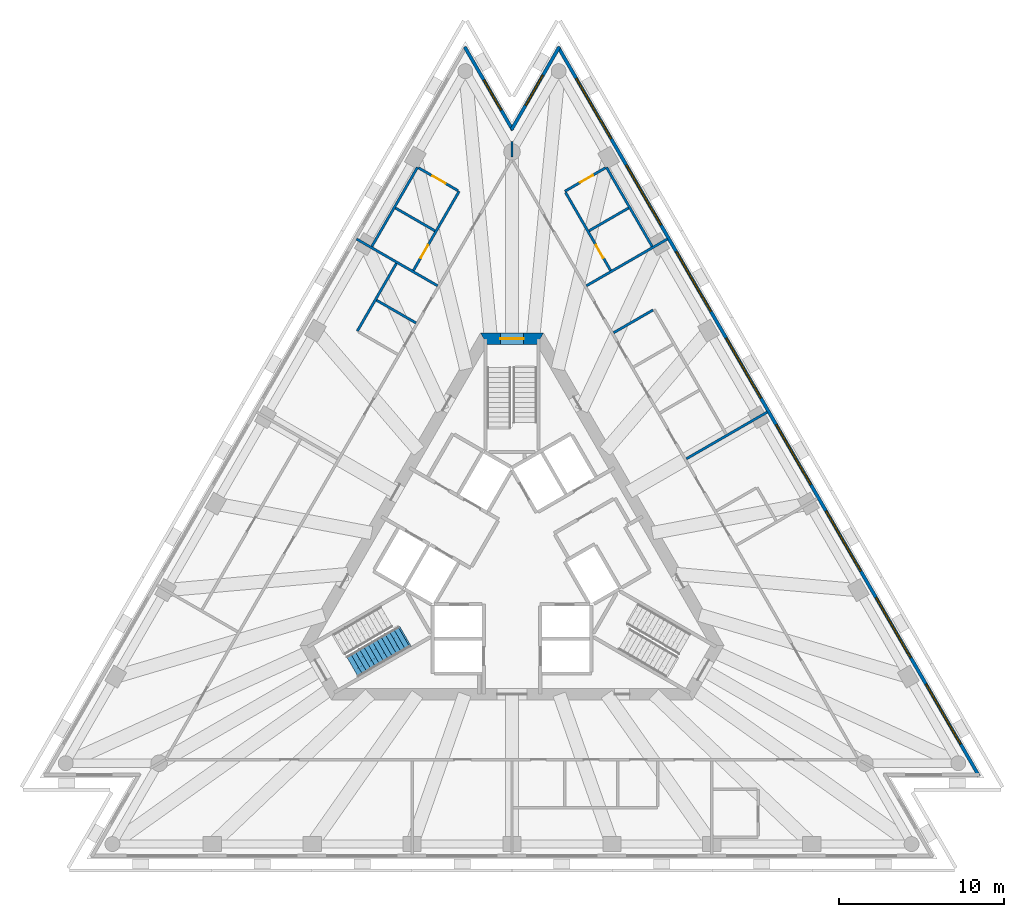
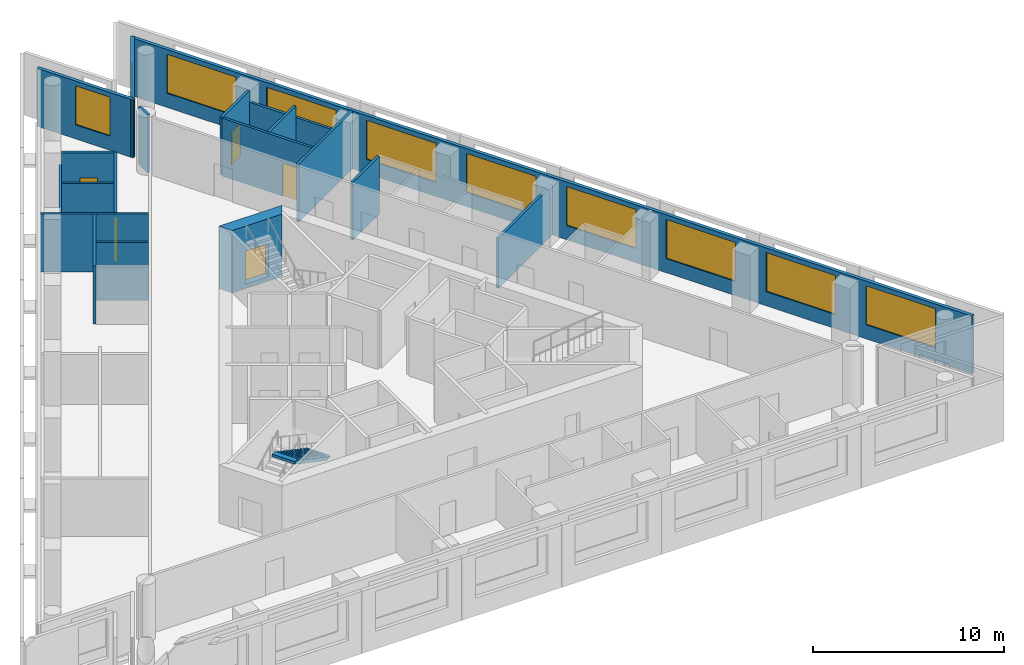
# One storey, part 6 of 9: 19 walls, 10 windows, 5 doors, 1 stair flight, 15 openings, 1 element without a shape of its own.
"""IFC4 building model written with IfcOpenShell, lengths in metres."""

from ifc_helpers import new_model, si_unit, direction, frame, frame_2d, origin, place, context, subcontext, project, spatial, polyline, rectangle, outline, extrude, material, layer, layer_set, layer_usage, type_object, element, fill, aggregate, save


model = new_model("IFC4")

# Units and contexts
model_context = context("Model", 3, precision=1e-05, world=origin(), true_north=direction((0.0, 1.0)))
body_context = subcontext(model_context, "Body", "Model", "MODEL_VIEW")
ifc_project = project(units=[si_unit("LENGTHUNIT", "METRE"), si_unit("AREAUNIT", "SQUARE_METRE"), si_unit("VOLUMEUNIT", "CUBIC_METRE"), si_unit("PLANEANGLEUNIT", "RADIAN"), si_unit("MASSUNIT", "GRAM", prefix="KILO")], contexts=[model_context])

# Site, building, storey
site_placement = place(None, origin())
site = spatial("IfcSite", under=ifc_project, at=site_placement, CompositionType="ELEMENT")
building_placement = place(site_placement, origin())
building = spatial("IfcBuilding", under=site, at=building_placement, Name="Triada Interchange Tower", CompositionType="ELEMENT")
storey_placement = place(building_placement, frame((0.0, 0.0, 215.300048828125)))
storey = spatial("IfcBuildingStorey", under=building, at=storey_placement, Name="L50", CompositionType="ELEMENT", Elevation=215.300048828125)

# Wall, opening, door
ifc_material_1 = material(Name="Concrete C50/60", Category="concrete")
ifc_layer_1 = layer(ifc_material_1, 0.699951171875)
ifc_layer_set_1 = layer_set([ifc_layer_1], Name="Core wall C 700")
wall_type_1 = type_object("IfcWallType", Name="Core wall C 700", PredefinedType="SHEAR", material=ifc_layer_set_1)
wall_1_placement = place(storey_placement, frame((1.702880859375, 13.35009765625, -0.300048828125), z_axis=(0.0, 0.0, 1.0), x_axis=(-1.0, 0.0, 0.0)))
wall_1 = element("IfcWall", 1, at=wall_1_placement, inside=storey, type_object=wall_type_1, Name="Core wall WC01 L50", PredefinedType="SHEAR", context=body_context, shape_type="SweptSolid", body=[
    extrude(outline(polyline([(-0.201904296875, -0.35009765625), (1.703125, -0.35009765625), (3.60791015625, -0.35009765625), (3.2041015625, 0.35009765625), (1.703125, 0.35009765625), (0.201904296875, 0.35009765625), (-0.201904296875, -0.35009765625)])), origin(), (0.0, 0.0, 1.0), 4.0),
])
opening_1_placement = place(wall_1_placement, frame((1.0029296875, 0.0, 0.300048828125)))
opening_1 = element("IfcOpeningElement", 2, at=opening_1_placement, cuts=wall_1, Name="Opening D50-39", PredefinedType="OPENING", context=body_context, shape_type="SweptSolid", body=[
    extrude(rectangle(XDim=1.39990234375, YDim=2.10009765625, at=frame_2d((0.699951171875, 1.050048828125))), frame((0.0, 0.360107421875, 0.0), z_axis=(0.0, -1.0, 0.0), x_axis=(1.0, 0.0, 0.0)), (0.0, 0.0, 1.0), 0.72021484375),
])
ifc_material_2 = material(Name="Steel S235 door leaf", Category="steel")
door_type_1 = type_object("IfcDoorType", Name="STAIR DOOR 1400 EI2 90-C5S200", OperationType="DOUBLE_DOOR_SINGLE_SWING", PredefinedType="DOOR", material=ifc_material_2)
door_1_placement = place(opening_1_placement, origin())
door_1 = element("IfcDoor", 3, at=door_1_placement, inside=storey, type_object=door_type_1, Name="Door D50-39 L50", OperationType="DOUBLE_DOOR_SINGLE_SWING", OverallHeight=2.10009765625, OverallWidth=1.39990234375, PredefinedType="DOOR", context=body_context, shape_type="SweptSolid", body=[
    extrude(rectangle(XDim=1.39990234375, YDim=2.10009765625, at=frame_2d((0.699951171875, 1.050048828125))), frame((0.0, 0.02490234375, 0.0), z_axis=(0.0, -1.0, 0.0), x_axis=(1.0, 0.0, 0.0)), (0.0, 0.0, 1.0), 0.050048828125),
])
fill(opening_1, door_1)

# Wall, openings, windows
ifc_material_3 = material(Name="Cement board")
ifc_layer_2 = layer(ifc_material_3, 0.02001953125, Name="Cement board cladding")
ifc_material_4 = material(Name="Sheathing board")
ifc_layer_3 = layer(ifc_material_4, 0.014892578125, Name="Sheathing board")
ifc_material_5 = material(Name="Mineral wool")
ifc_layer_4 = layer(ifc_material_5, 0.14990234375, Name="Mineral wool between steel studs")
ifc_material_6 = material(Name="Gypsum board")
ifc_layer_5 = layer(ifc_material_6, 0.014892578125, Name="Plasterboard lining")
ifc_layer_set_2 = layer_set([ifc_layer_2, ifc_layer_3, ifc_layer_4, ifc_layer_5], Name="External wall 200")
ifc_layer_usage = layer_usage(ifc_layer_set_2, "AXIS2", "POSITIVE", -0.10009765625)
wall_type_2 = type_object("IfcWallType", Name="External wall 200", PredefinedType="ELEMENTEDWALL", material=ifc_layer_set_2)
wall_2_placement = place(storey_placement, frame((28.242919921875, -13.097900390625, 0.0), z_axis=(0.0, 0.0, 1.0), x_axis=(-0.500001688958, 0.866024428662, 0.0)))
wall_2 = element("IfcWall", 4, at=wall_2_placement, inside=storey, type_object=wall_type_2, material=ifc_layer_usage, Name="External wall L50 NE", PredefinedType="ELEMENTEDWALL", context=body_context, shape_type="SweptSolid", body=[
    extrude(rectangle(XDim=50.909423828125, YDim=0.199951171875, at=frame_2d((25.45458984375, 0.0))), origin(), (0.0, 0.0, 1.0), 3.699951171875),
])
opening_2_placement = place(wall_2_placement, frame((2.222900390625, 0.0, 0.89990234375)))
opening_2 = element("IfcOpeningElement", 5, at=opening_2_placement, cuts=wall_2, Name="Opening WC21", PredefinedType="OPENING", context=body_context, shape_type="SweptSolid", body=[
    extrude(rectangle(XDim=4.199951171875, YDim=2.5, at=frame_2d((2.10009765625, 1.25))), frame((0.0, 0.10986328125, 0.0), z_axis=(0.0, -1.0, 0.0), x_axis=(1.0, 0.0, 0.0)), (0.0, 0.0, 1.0), 0.219970703125),
])
opening_3_placement = place(wall_2_placement, frame((8.262939453125, 0.0, 0.89990234375)))
opening_3 = element("IfcOpeningElement", 6, at=opening_3_placement, cuts=wall_2, Name="Opening WC22", PredefinedType="OPENING", context=body_context, shape_type="SweptSolid", body=[
    extrude(rectangle(XDim=4.199951171875, YDim=2.5, at=frame_2d((2.10009765625, 1.25))), frame((0.0, 0.10986328125, 0.0), z_axis=(0.0, -1.0, 0.0), x_axis=(1.0, 0.0, 0.0)), (0.0, 0.0, 1.0), 0.219970703125),
])
opening_4_placement = place(wall_2_placement, frame((14.303955078125, 0.0, 0.89990234375)))
opening_4 = element("IfcOpeningElement", 7, at=opening_4_placement, cuts=wall_2, Name="Opening WC23", PredefinedType="OPENING", context=body_context, shape_type="SweptSolid", body=[
    extrude(rectangle(XDim=4.199951171875, YDim=2.5, at=frame_2d((2.10009765625, 1.25))), frame((0.0, 0.10986328125, 0.0), z_axis=(0.0, -1.0, 0.0), x_axis=(1.0, 0.0, 0.0)), (0.0, 0.0, 1.0), 0.219970703125),
])
opening_5_placement = place(wall_2_placement, frame((20.344970703125, 0.0, 0.89990234375)))
opening_5 = element("IfcOpeningElement", 8, at=opening_5_placement, cuts=wall_2, Name="Opening WC24", PredefinedType="OPENING", context=body_context, shape_type="SweptSolid", body=[
    extrude(rectangle(XDim=4.199951171875, YDim=2.5, at=frame_2d((2.10009765625, 1.25))), frame((0.0, 0.10986328125, 0.0), z_axis=(0.0, -1.0, 0.0), x_axis=(1.0, 0.0, 0.0)), (0.0, 0.0, 1.0), 0.219970703125),
])
opening_6_placement = place(wall_2_placement, frame((26.385009765625, 0.0, 0.89990234375)))
opening_6 = element("IfcOpeningElement", 9, at=opening_6_placement, cuts=wall_2, Name="Opening WC25", PredefinedType="OPENING", context=body_context, shape_type="SweptSolid", body=[
    extrude(rectangle(XDim=4.199951171875, YDim=2.5, at=frame_2d((2.10009765625, 1.25))), frame((0.0, 0.10986328125, 0.0), z_axis=(0.0, -1.0, 0.0), x_axis=(1.0, 0.0, 0.0)), (0.0, 0.0, 1.0), 0.219970703125),
])
opening_7_placement = place(wall_2_placement, frame((32.426025390625, 0.0, 0.89990234375)))
opening_7 = element("IfcOpeningElement", 10, at=opening_7_placement, cuts=wall_2, Name="Opening WC26", PredefinedType="OPENING", context=body_context, shape_type="SweptSolid", body=[
    extrude(rectangle(XDim=4.199951171875, YDim=2.5, at=frame_2d((2.10009765625, 1.25))), frame((0.0, 0.10986328125, 0.0), z_axis=(0.0, -1.0, 0.0), x_axis=(1.0, 0.0, 0.0)), (0.0, 0.0, 1.0), 0.219970703125),
])
opening_8_placement = place(wall_2_placement, frame((38.466064453125, 0.0, 0.89990234375)))
opening_8 = element("IfcOpeningElement", 11, at=opening_8_placement, cuts=wall_2, Name="Opening WC27", PredefinedType="OPENING", context=body_context, shape_type="SweptSolid", body=[
    extrude(rectangle(XDim=4.199951171875, YDim=2.5, at=frame_2d((2.10009765625, 1.25))), frame((0.0, 0.10986328125, 0.0), z_axis=(0.0, -1.0, 0.0), x_axis=(1.0, 0.0, 0.0)), (0.0, 0.0, 1.0), 0.219970703125),
])
opening_9_placement = place(wall_2_placement, frame((44.507080078125, 0.0, 0.89990234375)))
opening_9 = element("IfcOpeningElement", 12, at=opening_9_placement, cuts=wall_2, Name="Opening WC28", PredefinedType="OPENING", context=body_context, shape_type="SweptSolid", body=[
    extrude(rectangle(XDim=4.199951171875, YDim=2.5, at=frame_2d((2.10009765625, 1.25))), frame((0.0, 0.10986328125, 0.0), z_axis=(0.0, -1.0, 0.0), x_axis=(1.0, 0.0, 0.0)), (0.0, 0.0, 1.0), 0.219970703125),
])
ifc_material_7 = material(Name="Double glazed aluminium window", Category="aluminium")
window_type_1 = type_object("IfcWindowType", Name="Ribbon window C face", PartitioningType="SINGLE_PANEL", PredefinedType="WINDOW", material=ifc_material_7)
window_1_placement = place(opening_2_placement, origin())
window_1 = element("IfcWindow", 13, at=window_1_placement, inside=storey, type_object=window_type_1, Name="Window L50 NE 1", OverallHeight=2.5, OverallWidth=4.199951171875, PartitioningType="SINGLE_PANEL", PredefinedType="WINDOW", context=body_context, shape_type="SweptSolid", body=[
    extrude(rectangle(XDim=4.199951171875, YDim=2.5, at=frame_2d((2.10009765625, 1.25))), frame((0.0, 0.030029296875, 0.0), z_axis=(0.0, -1.0, 0.0), x_axis=(1.0, 0.0, 0.0)), (0.0, 0.0, 1.0), 0.06005859375),
])
fill(opening_2, window_1)
window_2_placement = place(opening_3_placement, origin())
window_2 = element("IfcWindow", 14, at=window_2_placement, inside=storey, type_object=window_type_1, Name="Window L50 NE 2", OverallHeight=2.5, OverallWidth=4.199951171875, PartitioningType="SINGLE_PANEL", PredefinedType="WINDOW", context=body_context, shape_type="SweptSolid", body=[
    extrude(rectangle(XDim=4.199951171875, YDim=2.5, at=frame_2d((2.10009765625, 1.25))), frame((0.0, 0.030029296875, 0.0), z_axis=(0.0, -1.0, 0.0), x_axis=(1.0, 0.0, 0.0)), (0.0, 0.0, 1.0), 0.06005859375),
])
fill(opening_3, window_2)
window_3_placement = place(opening_4_placement, origin())
window_3 = element("IfcWindow", 15, at=window_3_placement, inside=storey, type_object=window_type_1, Name="Window L50 NE 3", OverallHeight=2.5, OverallWidth=4.199951171875, PartitioningType="SINGLE_PANEL", PredefinedType="WINDOW", context=body_context, shape_type="SweptSolid", body=[
    extrude(rectangle(XDim=4.199951171875, YDim=2.5, at=frame_2d((2.10009765625, 1.25))), frame((0.0, 0.030029296875, 0.0), z_axis=(0.0, -1.0, 0.0), x_axis=(1.0, 0.0, 0.0)), (0.0, 0.0, 1.0), 0.06005859375),
])
fill(opening_4, window_3)
window_4_placement = place(opening_5_placement, origin())
window_4 = element("IfcWindow", 16, at=window_4_placement, inside=storey, type_object=window_type_1, Name="Window L50 NE 4", OverallHeight=2.5, OverallWidth=4.199951171875, PartitioningType="SINGLE_PANEL", PredefinedType="WINDOW", context=body_context, shape_type="SweptSolid", body=[
    extrude(rectangle(XDim=4.199951171875, YDim=2.5, at=frame_2d((2.10009765625, 1.25))), frame((0.0, 0.030029296875, 0.0), z_axis=(0.0, -1.0, 0.0), x_axis=(1.0, 0.0, 0.0)), (0.0, 0.0, 1.0), 0.06005859375),
])
fill(opening_5, window_4)
window_5_placement = place(opening_6_placement, origin())
window_5 = element("IfcWindow", 17, at=window_5_placement, inside=storey, type_object=window_type_1, Name="Window L50 NE 5", OverallHeight=2.5, OverallWidth=4.199951171875, PartitioningType="SINGLE_PANEL", PredefinedType="WINDOW", context=body_context, shape_type="SweptSolid", body=[
    extrude(rectangle(XDim=4.199951171875, YDim=2.5, at=frame_2d((2.10009765625, 1.25))), frame((0.0, 0.030029296875, 0.0), z_axis=(0.0, -1.0, 0.0), x_axis=(1.0, 0.0, 0.0)), (0.0, 0.0, 1.0), 0.06005859375),
])
fill(opening_6, window_5)
window_6_placement = place(opening_7_placement, origin())
window_6 = element("IfcWindow", 18, at=window_6_placement, inside=storey, type_object=window_type_1, Name="Window L50 NE 6", OverallHeight=2.5, OverallWidth=4.199951171875, PartitioningType="SINGLE_PANEL", PredefinedType="WINDOW", context=body_context, shape_type="SweptSolid", body=[
    extrude(rectangle(XDim=4.199951171875, YDim=2.5, at=frame_2d((2.10009765625, 1.25))), frame((0.0, 0.030029296875, 0.0), z_axis=(0.0, -1.0, 0.0), x_axis=(1.0, 0.0, 0.0)), (0.0, 0.0, 1.0), 0.06005859375),
])
fill(opening_7, window_6)
window_7_placement = place(opening_8_placement, origin())
window_7 = element("IfcWindow", 19, at=window_7_placement, inside=storey, type_object=window_type_1, Name="Window L50 NE 7", OverallHeight=2.5, OverallWidth=4.199951171875, PartitioningType="SINGLE_PANEL", PredefinedType="WINDOW", context=body_context, shape_type="SweptSolid", body=[
    extrude(rectangle(XDim=4.199951171875, YDim=2.5, at=frame_2d((2.10009765625, 1.25))), frame((0.0, 0.030029296875, 0.0), z_axis=(0.0, -1.0, 0.0), x_axis=(1.0, 0.0, 0.0)), (0.0, 0.0, 1.0), 0.06005859375),
])
fill(opening_8, window_7)
window_8_placement = place(opening_9_placement, origin())
window_8 = element("IfcWindow", 20, at=window_8_placement, inside=storey, type_object=window_type_1, Name="Window L50 NE 8", OverallHeight=2.5, OverallWidth=4.199951171875, PartitioningType="SINGLE_PANEL", PredefinedType="WINDOW", context=body_context, shape_type="SweptSolid", body=[
    extrude(rectangle(XDim=4.199951171875, YDim=2.5, at=frame_2d((2.10009765625, 1.25))), frame((0.0, 0.030029296875, 0.0), z_axis=(0.0, -1.0, 0.0), x_axis=(1.0, 0.0, 0.0)), (0.0, 0.0, 1.0), 0.06005859375),
])
fill(opening_9, window_8)

# Wall, opening, window
wall_3_placement = place(storey_placement, frame((2.867919921875, 31.008056640625, 0.0), z_axis=(0.0, 0.0, 1.0), x_axis=(-0.499983322773, -0.866035032172, 0.0)))
wall_3 = element("IfcWall", 21, at=wall_3_placement, inside=storey, type_object=wall_type_2, material=ifc_layer_usage, Name="External wall L50 N-1", PredefinedType="ELEMENTEDWALL", context=body_context, shape_type="SweptSolid", body=[
    extrude(rectangle(XDim=5.805908203125, YDim=0.199951171875, at=frame_2d((2.90283203125, 0.0))), origin(), (0.0, 0.0, 1.0), 3.699951171875),
])
opening_10_placement = place(wall_3_placement, frame((1.989990234375, 0.0, 0.89990234375)))
opening_10 = element("IfcOpeningElement", 22, at=opening_10_placement, cuts=wall_3, Name="Opening WC29", PredefinedType="OPENING", context=body_context, shape_type="SweptSolid", body=[
    extrude(rectangle(XDim=2.10009765625, YDim=2.5, at=frame_2d((1.050048828125, 1.25))), frame((0.0, 0.10986328125, 0.0), z_axis=(0.0, -1.0, 0.0), x_axis=(1.0, 0.0, 0.0)), (0.0, 0.0, 1.0), 0.219970703125),
])
window_type_2 = type_object("IfcWindowType", Name="Ribbon window C pocket", PartitioningType="SINGLE_PANEL", PredefinedType="WINDOW", material=ifc_material_7)
window_9_placement = place(opening_10_placement, origin())
window_9 = element("IfcWindow", 23, at=window_9_placement, inside=storey, type_object=window_type_2, Name="Window L50 N-1 1", OverallHeight=2.5, OverallWidth=2.10009765625, PartitioningType="SINGLE_PANEL", PredefinedType="WINDOW", context=body_context, shape_type="SweptSolid", body=[
    extrude(rectangle(XDim=2.10009765625, YDim=2.5, at=frame_2d((1.050048828125, 1.25))), frame((0.0, 0.030029296875, 0.0), z_axis=(0.0, -1.0, 0.0), x_axis=(1.0, 0.0, 0.0)), (0.0, 0.0, 1.0), 0.06005859375),
])
fill(opening_10, window_9)

wall_4_placement = place(storey_placement, frame((0.044921875, 25.962890625, 0.0), z_axis=(0.0, 0.0, 1.0), x_axis=(-0.499983322773, 0.866035032172, 0.0)))
wall_4 = element("IfcWall", 24, at=wall_4_placement, inside=storey, type_object=wall_type_2, material=ifc_layer_usage, Name="External wall L50 N-2", PredefinedType="ELEMENTEDWALL", context=body_context, shape_type="SweptSolid", body=[
    extrude(rectangle(XDim=5.805908203125, YDim=0.199951171875, at=frame_2d((2.90283203125, 0.0))), origin(), (0.0, 0.0, 1.0), 3.699951171875),
])
opening_11_placement = place(wall_4_placement, frame((1.389892578125, 0.0, 0.89990234375)))
opening_11 = element("IfcOpeningElement", 25, at=opening_11_placement, cuts=wall_4, Name="Opening WC30", PredefinedType="OPENING", context=body_context, shape_type="SweptSolid", body=[
    extrude(rectangle(XDim=2.10009765625, YDim=2.5, at=frame_2d((1.050048828125, 1.25))), frame((0.0, 0.10986328125, 0.0), z_axis=(0.0, -1.0, 0.0), x_axis=(1.0, 0.0, 0.0)), (0.0, 0.0, 1.0), 0.219970703125),
])
window_10_placement = place(opening_11_placement, origin())
window_10 = element("IfcWindow", 26, at=window_10_placement, inside=storey, type_object=window_type_2, Name="Window L50 N-2 1", OverallHeight=2.5, OverallWidth=2.10009765625, PartitioningType="SINGLE_PANEL", PredefinedType="WINDOW", context=body_context, shape_type="SweptSolid", body=[
    extrude(rectangle(XDim=2.10009765625, YDim=2.5, at=frame_2d((1.050048828125, 1.25))), frame((0.0, 0.030029296875, 0.0), z_axis=(0.0, -1.0, 0.0), x_axis=(1.0, 0.0, 0.0)), (0.0, 0.0, 1.0), 0.06005859375),
])
fill(opening_11, window_10)

# Walls
ifc_material_8 = material(Name="Gypsum board partition")
ifc_layer_6 = layer(ifc_material_8, 0.14990234375)
ifc_layer_set_3 = layer_set([ifc_layer_6], Name="PARTITION 150 EI 180")
wall_type_3 = type_object("IfcWallType", Name="PARTITION 150 EI 180", PredefinedType="PARTITIONING", material=ifc_layer_set_3)
wall_5_placement = place(storey_placement, frame((10.5439453125, 6.0869140625, 0.0), z_axis=(0.0, 0.0, 1.0), x_axis=(0.865959810878, 0.500113593041, 0.0)))
element("IfcWall", 27, at=wall_5_placement, inside=storey, type_object=wall_type_3, Name="Wall L50 2", PredefinedType="PARTITIONING", context=body_context, shape_type="SweptSolid", body=[
    extrude(rectangle(XDim=5.655029296875, YDim=0.14990234375, at=frame_2d((2.82763671875, 0.0))), origin(), (0.0, 0.0, 1.0), 3.199951171875),
])
wall_6_placement = place(storey_placement, frame((-9.40087890625, 19.3779296875, 0.0), z_axis=(0.0, 0.0, 1.0), x_axis=(0.866021685936, -0.500006439447, 0.0)))
element("IfcWall", 28, at=wall_6_placement, inside=storey, type_object=wall_type_3, Name="Wall L50 8", PredefinedType="PARTITIONING", context=body_context, shape_type="SweptSolid", body=[
    extrude(rectangle(XDim=5.65576171875, YDim=0.14990234375, at=frame_2d((2.827880859375, 0.0))), origin(), (0.0, 0.0, 1.0), 3.699951171875),
])
wall_7_placement = place(storey_placement, frame((-9.35400390625, 13.80810546875, 0.0), z_axis=(0.0, 0.0, 1.0), x_axis=(0.499946109042, 0.866056515508, 0.0)))
element("IfcWall", 29, at=wall_7_placement, inside=storey, type_object=wall_type_3, Name="Wall L50 9", PredefinedType="PARTITIONING", context=body_context, shape_type="SweptSolid", body=[
    extrude(rectangle(XDim=4.724609375, YDim=0.14990234375, at=frame_2d((2.3623046875, 0.0))), origin(), (0.0, 0.0, 1.0), 3.699951171875),
])
wall_8_placement = place(storey_placement, frame((-8.18896484375, 15.676025390625, 0.0), z_axis=(0.0, 0.0, 1.0), x_axis=(0.866119184418, -0.499837531988, 0.0)))
element("IfcWall", 30, at=wall_8_placement, inside=storey, type_object=wall_type_3, Name="Wall L50 11", PredefinedType="PARTITIONING", context=body_context, shape_type="SweptSolid", body=[
    extrude(rectangle(XDim=2.7548828125, YDim=0.14990234375, at=frame_2d((1.37744140625, 0.0))), origin(), (0.0, 0.0, 1.0), 3.699951171875),
])
wall_9_placement = place(storey_placement, frame((0.0, 24.35009765625, 0.0), z_axis=(0.0, 0.0, 1.0), x_axis=(0.0, 1.0, 0.0)))
element("IfcWall", 31, at=wall_9_placement, inside=storey, type_object=wall_type_3, Name="Wall L50 14", PredefinedType="PARTITIONING", context=body_context, shape_type="SweptSolid", body=[
    extrude(rectangle(XDim=0.910888671875, YDim=0.14990234375, at=frame_2d((0.45556640625, 0.0))), origin(), (0.0, 0.0, 1.0), 3.699951171875),
])
wall_10_placement = place(storey_placement, frame((4.5029296875, 16.550048828125, 0.0), z_axis=(0.0, 0.0, 1.0), x_axis=(0.866021685936, 0.500006439447, 0.0)))
element("IfcWall", 32, at=wall_10_placement, inside=storey, type_object=wall_type_3, Name="Wall L50 18", PredefinedType="PARTITIONING", context=body_context, shape_type="SweptSolid", body=[
    extrude(rectangle(XDim=5.65576171875, YDim=0.14990234375, at=frame_2d((2.827880859375, 0.0))), origin(), (0.0, 0.0, 1.0), 3.699951171875),
])
wall_11_placement = place(storey_placement, frame((6.14404296875, 13.708984375, 0.0), z_axis=(0.0, 0.0, 1.0), x_axis=(0.866119184418, 0.499837531988, 0.0)))
element("IfcWall", 33, at=wall_11_placement, inside=storey, type_object=wall_type_3, Name="Wall L50 21", PredefinedType="PARTITIONING", context=body_context, shape_type="SweptSolid", body=[
    extrude(rectangle(XDim=2.7548828125, YDim=0.14990234375, at=frame_2d((1.37744140625, 0.0))), origin(), (0.0, 0.0, 1.0), 3.699951171875),
])
ifc_layer_7 = layer(ifc_material_8, 0.14990234375)
ifc_layer_set_4 = layer_set([ifc_layer_7], Name="PARTITION 150 EI 90")
wall_type_4 = type_object("IfcWallType", Name="PARTITION 150 EI 90", PredefinedType="PARTITIONING", material=ifc_layer_set_4)
wall_12_placement = place(storey_placement, frame((-8.47509765625, 18.929931640625, 0.0), z_axis=(0.0, 0.0, 1.0), x_axis=(0.499931554694, 0.866064917094, 0.0)))
element("IfcWall", 34, at=wall_12_placement, inside=storey, type_object=wall_type_4, Name="Wall L50 30", PredefinedType="PARTITIONING", context=body_context, shape_type="SweptSolid", body=[
    extrude(rectangle(XDim=5.525146484375, YDim=0.14990234375, at=frame_2d((2.7626953125, 0.0))), origin(), (0.0, 0.0, 1.0), 2.949951171875),
])

# Wall, opening, door
wall_13_placement = place(storey_placement, frame((-5.9599609375, 17.47802734375, 0.0), z_axis=(0.0, 0.0, 1.0), x_axis=(0.500050108258, 0.865996471835, 0.0)))
wall_13 = element("IfcWall", 35, at=wall_13_placement, inside=storey, type_object=wall_type_4, Name="Wall L50 31", PredefinedType="PARTITIONING", context=body_context, shape_type="SweptSolid", body=[
    extrude(rectangle(XDim=5.525390625, YDim=0.14990234375, at=frame_2d((2.7626953125, 0.0))), origin(), (0.0, 0.0, 1.0), 3.699951171875),
])
opening_12_placement = place(wall_13_placement, frame((0.875, 0.0, 0.0)))
opening_12 = element("IfcOpeningElement", 36, at=opening_12_placement, cuts=wall_13, Name="Opening D50-30", PredefinedType="OPENING", context=body_context, shape_type="SweptSolid", body=[
    extrude(rectangle(XDim=0.89990234375, YDim=2.10009765625, at=frame_2d((0.449951171875, 1.050048828125))), frame((0.0, 0.0849609375, 0.0), z_axis=(0.0, -1.0, 0.0), x_axis=(1.0, 0.0, 0.0)), (0.0, 0.0, 1.0), 0.169921875),
])
door_type_2 = type_object("IfcDoorType", Name="ROOM DOOR 900 EI2 45-C5S200", OperationType="NOTDEFINED", PredefinedType="DOOR", material=ifc_material_2)
door_2_placement = place(opening_12_placement, origin())
door_2 = element("IfcDoor", 37, at=door_2_placement, inside=storey, type_object=door_type_2, Name="Door D50-30 L50", OperationType="SINGLE_SWING_LEFT", OverallHeight=2.10009765625, OverallWidth=0.89990234375, PredefinedType="DOOR", context=body_context, shape_type="SweptSolid", body=[
    extrude(rectangle(XDim=0.89990234375, YDim=2.10009765625, at=frame_2d((0.449951171875, 1.050048828125))), frame((0.0, 0.02490234375, 0.0), z_axis=(0.0, -1.0, 0.0), x_axis=(1.0, 0.0, 0.0)), (0.0, 0.0, 1.0), 0.050048828125),
])
fill(opening_12, door_2)

wall_14_placement = place(storey_placement, frame((-5.64794921875, 23.677978515625, 0.0), z_axis=(0.0, 0.0, 1.0), x_axis=(0.865965703354, -0.500103389924, 0.0)))
wall_14 = element("IfcWall", 38, at=wall_14_placement, inside=storey, type_object=wall_type_4, Name="Wall L50 32", PredefinedType="PARTITIONING", context=body_context, shape_type="SweptSolid", body=[
    extrude(rectangle(XDim=2.75537109375, YDim=0.14990234375, at=frame_2d((1.377685546875, 0.0))), origin(), (0.0, 0.0, 1.0), 3.699951171875),
])
opening_13_placement = place(wall_14_placement, frame((0.97509765625, 0.0, 0.0)))
opening_13 = element("IfcOpeningElement", 39, at=opening_13_placement, cuts=wall_14, Name="Opening D50-31", PredefinedType="OPENING", context=body_context, shape_type="SweptSolid", body=[
    extrude(rectangle(XDim=0.89990234375, YDim=2.10009765625, at=frame_2d((0.449951171875, 1.050048828125))), frame((0.0, 0.0849609375, 0.0), z_axis=(0.0, -1.0, 0.0), x_axis=(1.0, 0.0, 0.0)), (0.0, 0.0, 1.0), 0.169921875),
])
door_3_placement = place(opening_13_placement, origin())
door_3 = element("IfcDoor", 40, at=door_3_placement, inside=storey, type_object=door_type_2, Name="Door D50-31 L50", OperationType="SINGLE_SWING_RIGHT", OverallHeight=2.10009765625, OverallWidth=0.89990234375, PredefinedType="DOOR", context=body_context, shape_type="SweptSolid", body=[
    extrude(rectangle(XDim=0.89990234375, YDim=2.10009765625, at=frame_2d((0.449951171875, 1.050048828125))), frame((0.0, 0.02490234375, 0.0), z_axis=(0.0, -1.0, 0.0), x_axis=(1.0, 0.0, 0.0)), (0.0, 0.0, 1.0), 0.050048828125),
])
fill(opening_13, door_3)

# Walls
for number, where, z_axis, x_axis, name in (
    (41, (-7.048095703125, 21.2529296875, 0.0), (0.0, 0.0, 1.0), (0.865965703354, -0.500103389924, 0.0), "Wall L50 33"),
    (42, (4.662109375, 19.875, 0.0), (0.0, 0.0, 1.0), (0.865965703354, 0.500103389924, 0.0), "Wall L50 34"),
):
    element("IfcWall", number, at=place(storey_placement, frame(where, z_axis=z_axis, x_axis=x_axis)), inside=storey, type_object=wall_type_4, Name=name, PredefinedType="PARTITIONING", context=body_context, shape_type="SweptSolid", body=[
        extrude(rectangle(XDim=2.75537109375, YDim=0.14990234375, at=frame_2d((1.377685546875, 0.0))), origin(), (0.0, 0.0, 1.0), 3.699951171875),
    ])
wall_15_placement = place(storey_placement, frame((5.712890625, 23.715087890625, 0.0), z_axis=(0.0, 0.0, 1.0), x_axis=(0.499931554694, -0.866064917094, 0.0)))
element("IfcWall", 43, at=wall_15_placement, inside=storey, type_object=wall_type_4, Name="Wall L50 35", PredefinedType="PARTITIONING", context=body_context, shape_type="SweptSolid", body=[
    extrude(rectangle(XDim=5.525146484375, YDim=0.14990234375, at=frame_2d((2.7626953125, 0.0))), origin(), (0.0, 0.0, 1.0), 2.949951171875),
])

# Wall, opening, door
wall_16_placement = place(storey_placement, frame((3.197021484375, 22.262939453125, 0.0), z_axis=(0.0, 0.0, 1.0), x_axis=(0.86602612668, 0.499998747907, 0.0)))
wall_16 = element("IfcWall", 44, at=wall_16_placement, inside=storey, type_object=wall_type_4, Name="Wall L50 36", PredefinedType="PARTITIONING", context=body_context, shape_type="SweptSolid", body=[
    extrude(rectangle(XDim=2.830078125, YDim=0.14990234375, at=frame_2d((1.4150390625, 0.0))), origin(), (0.0, 0.0, 1.0), 3.699951171875),
])
opening_14_placement = place(wall_16_placement, frame((1.050048828125, 0.0, 0.0)))
opening_14 = element("IfcOpeningElement", 45, at=opening_14_placement, cuts=wall_16, Name="Opening D50-28", PredefinedType="OPENING", context=body_context, shape_type="SweptSolid", body=[
    extrude(rectangle(XDim=0.89990234375, YDim=2.10009765625, at=frame_2d((0.449951171875, 1.050048828125))), frame((0.0, 0.0849609375, 0.0), z_axis=(0.0, -1.0, 0.0), x_axis=(1.0, 0.0, 0.0)), (0.0, 0.0, 1.0), 0.169921875),
])
door_4_placement = place(opening_14_placement, origin())
door_4 = element("IfcDoor", 46, at=door_4_placement, inside=storey, type_object=door_type_2, Name="Door D50-28 L50", OperationType="SINGLE_SWING_LEFT", OverallHeight=2.10009765625, OverallWidth=0.89990234375, PredefinedType="DOOR", context=body_context, shape_type="SweptSolid", body=[
    extrude(rectangle(XDim=0.89990234375, YDim=2.10009765625, at=frame_2d((0.449951171875, 1.050048828125))), frame((0.0, 0.02490234375, 0.0), z_axis=(0.0, -1.0, 0.0), x_axis=(1.0, 0.0, 0.0)), (0.0, 0.0, 1.0), 0.050048828125),
])
fill(opening_14, door_4)

wall_17_placement = place(storey_placement, frame((3.235107421875, 22.197998046875, 0.0), z_axis=(0.0, 0.0, 1.0), x_axis=(0.49996933381, -0.866043108194, 0.0)))
wall_17 = element("IfcWall", 47, at=wall_17_placement, inside=storey, type_object=wall_type_4, Name="Wall L50 37", PredefinedType="PARTITIONING", context=body_context, shape_type="SweptSolid", body=[
    extrude(rectangle(XDim=5.449951171875, YDim=0.14990234375, at=frame_2d((2.72509765625, 0.0))), origin(), (0.0, 0.0, 1.0), 3.699951171875),
])
opening_15_placement = place(wall_17_placement, frame((3.675048828125, 0.0, 0.0)))
opening_15 = element("IfcOpeningElement", 48, at=opening_15_placement, cuts=wall_17, Name="Opening D50-27", PredefinedType="OPENING", context=body_context, shape_type="SweptSolid", body=[
    extrude(rectangle(XDim=0.89990234375, YDim=2.10009765625, at=frame_2d((0.449951171875, 1.050048828125))), frame((0.0, 0.0849609375, 0.0), z_axis=(0.0, -1.0, 0.0), x_axis=(1.0, 0.0, 0.0)), (0.0, 0.0, 1.0), 0.169921875),
])
door_5_placement = place(opening_15_placement, origin())
door_5 = element("IfcDoor", 49, at=door_5_placement, inside=storey, type_object=door_type_2, Name="Door D50-27 L50", OperationType="SINGLE_SWING_RIGHT", OverallHeight=2.10009765625, OverallWidth=0.89990234375, PredefinedType="DOOR", context=body_context, shape_type="SweptSolid", body=[
    extrude(rectangle(XDim=0.89990234375, YDim=2.10009765625, at=frame_2d((0.449951171875, 1.050048828125))), frame((0.0, 0.02490234375, 0.0), z_axis=(0.0, -1.0, 0.0), x_axis=(1.0, 0.0, 0.0)), (0.0, 0.0, 1.0), 0.050048828125),
])
fill(opening_15, door_5)

# Stair, stair flight
ifc_material_9 = material(Name="Concrete C35/45", Category="concrete")
stair_type = type_object("IfcStairType", Name="HALF TURN STAIR 1400", PredefinedType="HALF_TURN_STAIR", material=ifc_material_9)
stair_placement = place(storey_placement, origin())
stair = element("IfcStair", 50, at=stair_placement, inside=storey, type_object=stair_type, Name="Exit stair S50-2", PredefinedType="HALF_TURN_STAIR")
stair_flight_type = type_object("IfcStairFlightType", Name="STRAIGHT STAIR FLIGHT 1400", PredefinedType="STRAIGHT", material=ifc_material_9)
stair_flight_placement = place(storey_placement, frame((-6.528076171875, -4.693115234375, 1.919921875), z_axis=(0.0, 0.0, 1.0), x_axis=(-0.866025403784, -0.5, 0.0)))
stair_flight = element("IfcStairFlight", 51, at=stair_flight_placement, type_object=stair_flight_type, Name="S50-2 flight 2", NumberOfRisers=13, NumberOfTreads=12, PredefinedType="STRAIGHT", RiserHeight=0.16, TreadLength=0.3, context=body_context, shape_type="SweptSolid", body=[
    extrude(outline(polyline([(-0.10009765625, 0.0), (-0.10009765625, 0.02001953125), (0.0, 0.02001953125), (0.0, 0.159912109375), (0.300048828125, 0.159912109375), (0.300048828125, 0.320068359375), (0.60009765625, 0.320068359375), (0.60009765625, 0.47998046875), (0.89990234375, 0.47998046875), (0.89990234375, 0.639892578125), (1.199951171875, 0.639892578125), (1.199951171875, 0.800048828125), (1.5, 0.800048828125), (1.5, 0.9599609375), (1.800048828125, 0.9599609375), (1.800048828125, 1.1201171875), (2.10009765625, 1.1201171875), (2.10009765625, 1.280029296875), (2.39990234375, 1.280029296875), (2.39990234375, 1.43994140625), (2.699951171875, 1.43994140625), (2.699951171875, 1.60009765625), (3.0, 1.60009765625), (3.0, 1.760009765625), (3.300048828125, 1.760009765625), (3.300048828125, 1.919921875), (3.60009765625, 1.919921875), (3.60400390625, 1.919921875), (3.60400390625, 2.080078125), (3.60400390625, 1.75), (0.318603515625, 0.0), (-0.10009765625, 0.0)])), frame((0.0, 0.699951171875, 0.0), z_axis=(0.0, -1.0, 0.0), x_axis=(1.0, 0.0, 0.0)), (0.0, 0.0, 1.0), 0.46533203125),
    extrude(outline(polyline([(-0.10009765625, 0.0), (-0.10009765625, 0.02001953125), (0.0, 0.02001953125), (0.0, 0.159912109375), (0.300048828125, 0.159912109375), (0.300048828125, 0.320068359375), (0.60009765625, 0.320068359375), (0.60009765625, 0.47998046875), (0.89990234375, 0.47998046875), (0.89990234375, 0.639892578125), (1.199951171875, 0.639892578125), (1.199951171875, 0.800048828125), (1.5, 0.800048828125), (1.5, 0.9599609375), (1.800048828125, 0.9599609375), (1.800048828125, 1.1201171875), (2.10009765625, 1.1201171875), (2.10009765625, 1.280029296875), (2.39990234375, 1.280029296875), (2.39990234375, 1.43994140625), (2.699951171875, 1.43994140625), (2.699951171875, 1.60009765625), (3.0, 1.60009765625), (3.0, 1.760009765625), (3.300048828125, 1.760009765625), (3.300048828125, 1.919921875), (3.60009765625, 1.919921875), (3.60400390625, 1.919921875), (3.60400390625, 2.080078125), (3.60400390625, 1.75), (0.318603515625, 0.0), (-0.10009765625, 0.0)])), frame((0.0, 0.232666015625, 0.0), z_axis=(0.0, -1.0, 0.0), x_axis=(1.0, 0.0, 0.0)), (0.0, 0.0, 1.0), 0.46533203125),
    extrude(outline(polyline([(-0.10009765625, 0.0), (-0.10009765625, 0.02001953125), (0.0, 0.02001953125), (0.0, 0.159912109375), (0.300048828125, 0.159912109375), (0.300048828125, 0.320068359375), (0.60009765625, 0.320068359375), (0.60009765625, 0.47998046875), (0.89990234375, 0.47998046875), (0.89990234375, 0.639892578125), (1.199951171875, 0.639892578125), (1.199951171875, 0.800048828125), (1.5, 0.800048828125), (1.5, 0.9599609375), (1.800048828125, 0.9599609375), (1.800048828125, 1.1201171875), (2.10009765625, 1.1201171875), (2.10009765625, 1.280029296875), (2.39990234375, 1.280029296875), (2.39990234375, 1.43994140625), (2.699951171875, 1.43994140625), (2.699951171875, 1.60009765625), (3.0, 1.60009765625), (3.0, 1.760009765625), (3.300048828125, 1.760009765625), (3.300048828125, 1.919921875), (3.60009765625, 1.919921875), (3.60400390625, 1.919921875), (3.60400390625, 2.080078125), (3.60400390625, 1.75), (0.318603515625, 0.0), (-0.10009765625, 0.0)])), frame((0.0, -0.234619140625, 0.0), z_axis=(0.0, -1.0, 0.0), x_axis=(1.0, 0.0, 0.0)), (0.0, 0.0, 1.0), 0.46533203125),
])
aggregate(stair, [stair_flight])

save(model, "model.ifc")
